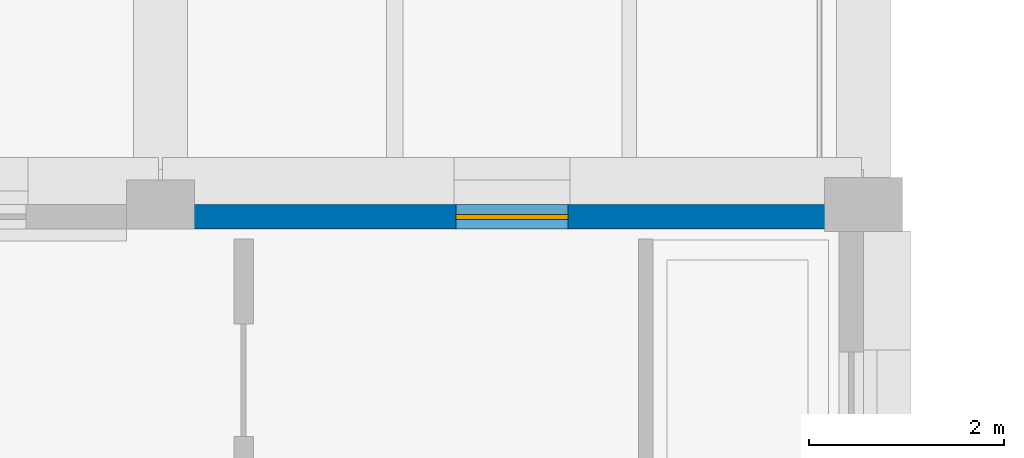
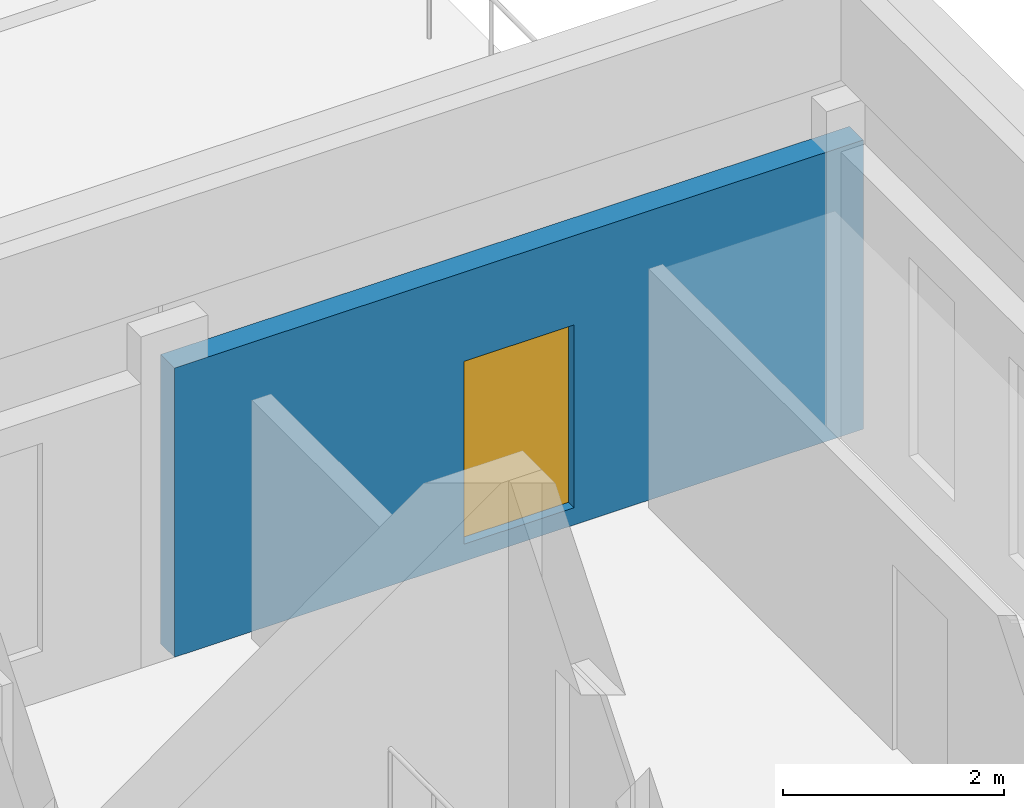
# One storey, part 4 of 6: 1 door, 1 wall, 1 opening.
"""IFC4 building model written with IfcOpenShell, lengths in metres."""

from ifc_helpers import new_model, si_unit, direction, frame, frame_2d, origin, place, context, subcontext, project, spatial, rectangle, extrude, material, layer, layer_set, type_object, element, fill, save


model = new_model("IFC4")

# Units and contexts
model_context = context("Model", 3, precision=1e-05, world=origin(), true_north=direction((0.0, 1.0)))
body_context = subcontext(model_context, "Body", "Model", "MODEL_VIEW")
ifc_project = project(units=[si_unit("LENGTHUNIT", "METRE"), si_unit("AREAUNIT", "SQUARE_METRE"), si_unit("VOLUMEUNIT", "CUBIC_METRE"), si_unit("PLANEANGLEUNIT", "RADIAN"), si_unit("MASSUNIT", "GRAM", prefix="KILO")], contexts=[model_context])

# Site, building, storey
site_placement = place(None, origin())
site = spatial("IfcSite", under=ifc_project, at=site_placement, CompositionType="ELEMENT")
building_placement = place(site_placement, origin())
building = spatial("IfcBuilding", under=site, at=building_placement, Name="Vardoun Plaza Health Centre", CompositionType="ELEMENT")
storey_placement = place(building_placement, frame((0.0, 0.0, 25.050048828125)))
storey = spatial("IfcBuildingStorey", under=building, at=storey_placement, Name="L06", CompositionType="ELEMENT", Elevation=25.050048828125)

# Wall, opening, door
ifc_material_1 = material(Name="Pale Limestone Concrete C35/45", Category="masonry")
ifc_layer = layer(ifc_material_1, 0.25)
ifc_layer_set = layer_set([ifc_layer], Name="Pale Limestone Concrete C35/45")
wall_type = type_object("IfcWallType", Name="EW-07", PredefinedType="STANDARD", material=ifc_layer_set)
wall_placement = place(storey_placement, frame((11.699951171875, 25.97509765625, 0.0), z_axis=(0.0, 0.0, 1.0), x_axis=(1.0, 0.0, 0.0)))
wall = element("IfcWall", 1, at=wall_placement, inside=storey, type_object=wall_type, Name="V2 L06 Exterior Wall EW-V2-213", PredefinedType="STANDARD", context=body_context, shape_type="SweptSolid", body=[
    extrude(rectangle(XDim=7.199951171875, YDim=0.25, at=frame_2d((3.60009765625, 0.0))), origin(), (0.0, 0.0, 1.0), 3.195068359375),
])
opening_placement = place(wall_placement, frame((3.02490234375, 0.0, 0.18994140625)))
opening = element("IfcOpeningElement", 2, at=opening_placement, cuts=wall, Name="Opening TD-V2-L06-1", PredefinedType="OPENING", context=body_context, shape_type="SweptSolid", body=[
    extrude(rectangle(XDim=1.14990234375, YDim=2.02001953125, at=frame_2d((0.574951171875, 1.010009765625))), frame((0.0, 0.125, 0.0), z_axis=(0.0, -1.0, 0.0), x_axis=(1.0, 0.0, 0.0)), (0.0, 0.0, 1.0), 0.25),
])
ifc_material_2 = material(Name="Aluminium Alloy EN AW-6063-T6 Terrace Door", Category="aluminium")
door_type = type_object("IfcDoorType", Name="ED-04", OperationType="NOTDEFINED", PredefinedType="DOOR", material=ifc_material_2)
door_placement = place(opening_placement, origin())
door = element("IfcDoor", 3, at=door_placement, inside=storey, type_object=door_type, Name="V2 L06 Roof-Garden Terrace Door 1", OperationType="SINGLE_SWING_RIGHT", OverallHeight=2.02001953125, OverallWidth=1.14990234375, PredefinedType="DOOR", context=body_context, shape_type="SweptSolid", body=[
    extrude(rectangle(XDim=1.14990234375, YDim=2.02001953125, at=frame_2d((0.574951171875, 1.010009765625))), frame((0.0, 0.02490234375, 0.0), z_axis=(0.0, -1.0, 0.0), x_axis=(1.0, 0.0, 0.0)), (0.0, 0.0, 1.0), 0.050048828125),
])
fill(opening, door)

save(model, "model.ifc")
